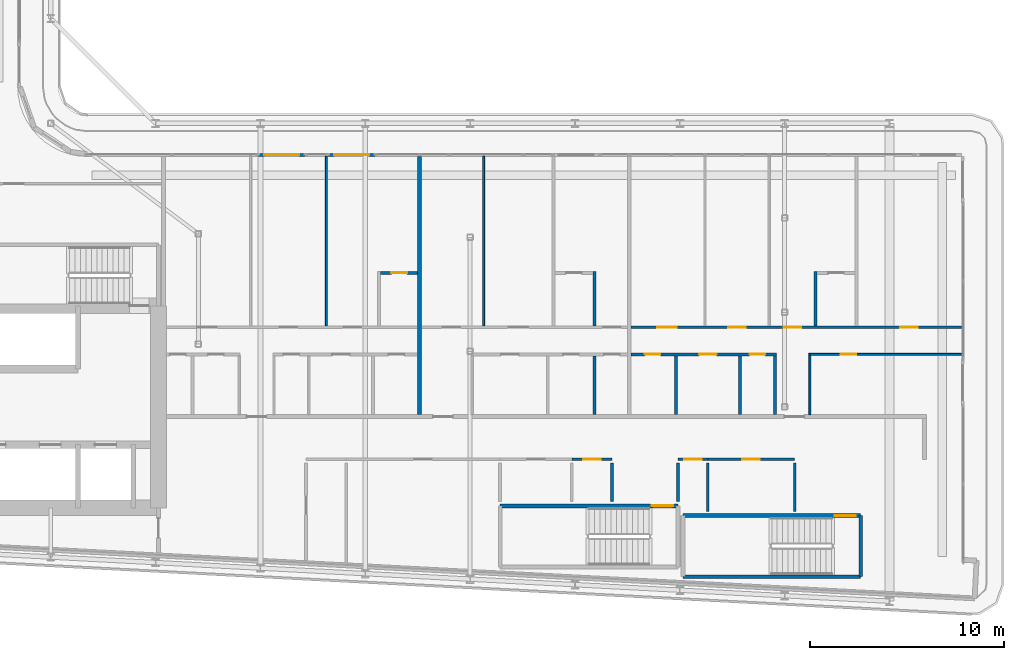
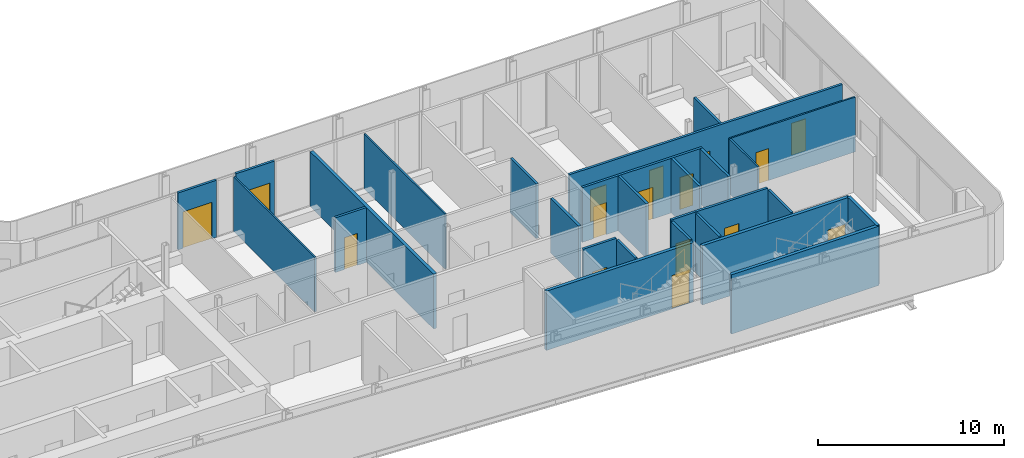
# One storey, part 18 of 30: 27 walls, 16 doors, 16 openings.
"""IFC4 building model written with IfcOpenShell, lengths in metres."""

import ifcopenshell
import ifcopenshell.guid

model = None  # the IFC model being written
_history = None  # IfcOwnerHistory: only IFC2X3 demands one
_inside = {}  # id of a spatial element -> (the spatial element, [elements in it])
_under = {}  # id of a project, library or spatial element -> (it, [spatial elements below it])
_declared = {}  # id of a project -> (the project, [libraries it declares])
_typed = {}  # id of a type object -> (the type object, [elements of that type])
_made_of = {}  # id of a material, layer set ... -> (it, [elements and type objects made of it])


def new_model(schema):
    """Start an empty IFC model of exactly this schema.

    Asked for "IFC4X3", IfcOpenShell would pick the latest addendum, in which some entities
    have other attributes; the version numbers below select the first issue.
    IFC2X3 requires an IfcOwnerHistory on every rooted entity: one is made here for all.
    """
    global model, _history
    if schema == "IFC4X3":
        model = ifcopenshell.file(schema_version=(4, 3, 0, 0))
    else:
        model = ifcopenshell.file(schema=schema)
    _inside.clear()
    _under.clear()
    _declared.clear()
    _typed.clear()
    _made_of.clear()
    _history = None
    if model.schema == "IFC2X3":
        org = make("IfcOrganization", Name="unknown")
        user = make(
            "IfcPersonAndOrganization",
            ThePerson=make("IfcPerson", FamilyName="unknown"),
            TheOrganization=org,
        )
        app = make(
            "IfcApplication",
            ApplicationDeveloper=org,
            Version="unknown",
            ApplicationFullName="unknown",
            ApplicationIdentifier="unknown",
        )
        _history = make(
            "IfcOwnerHistory",
            OwningUser=user,
            OwningApplication=app,
            ChangeAction="ADDED",
            CreationDate=0,
        )
    return model


def make(cls, **values):
    """One entity of the class cls with the attributes given. An attribute that is None is left unset."""
    return model.create_entity(
        cls, **{name: value for name, value in values.items() if value is not None}
    )


def rooted(cls, **values):
    """An entity with a GlobalId (a new one), such as an element, a storey or a relation."""
    return make(cls, GlobalId=ifcopenshell.guid.new(), OwnerHistory=_history, **values)


def si_unit(unit_type, name, prefix=None):
    """IfcSIUnit, for example si_unit("LENGTHUNIT", "METRE", prefix="MILLI")."""
    return make("IfcSIUnit", UnitType=unit_type, Prefix=prefix, Name=name)


def assignment(units):
    """IfcUnitAssignment: the units of a project."""
    return None if units is None else make("IfcUnitAssignment", Units=units)


def point(xyz):
    """IfcCartesianPoint."""
    return None if xyz is None else make("IfcCartesianPoint", Coordinates=xyz)


def direction(xyz):
    """IfcDirection."""
    return None if xyz is None else make("IfcDirection", DirectionRatios=xyz)


def frame(location, z_axis=None, x_axis=None):
    """IfcAxis2Placement3D, a coordinate frame: its origin and axes. An axis left out is left unset."""
    return make(
        "IfcAxis2Placement3D",
        Location=point(location),
        Axis=direction(z_axis),
        RefDirection=direction(x_axis),
    )


def frame_2d(location, x_axis=None):
    """IfcAxis2Placement2D, a coordinate frame in the plane: its origin and x axis."""
    return make(
        "IfcAxis2Placement2D", Location=point(location), RefDirection=direction(x_axis)
    )


def origin():
    """The frame at (0, 0, 0) with its axes left unset."""
    return frame((0.0, 0.0, 0.0))


def place(relative_to, where):
    """IfcLocalPlacement: puts the frame where relative to a parent placement (None: the world)."""
    return make(
        "IfcLocalPlacement", PlacementRelTo=relative_to, RelativePlacement=where
    )


def context(
    kind, dimensions, precision=None, world=None, true_north=None, identifier=None
):
    """IfcGeometricRepresentationContext, for example the 3D "Model" context."""
    return make(
        "IfcGeometricRepresentationContext",
        ContextIdentifier=identifier,
        ContextType=kind,
        CoordinateSpaceDimension=dimensions,
        Precision=precision,
        WorldCoordinateSystem=world,
        TrueNorth=true_north,
    )


def subcontext(parent, identifier, kind, view, scale=None):
    """IfcGeometricRepresentationSubContext, for example "Body" below "Model"."""
    return make(
        "IfcGeometricRepresentationSubContext",
        ContextIdentifier=identifier,
        ContextType=kind,
        ParentContext=parent,
        TargetScale=scale,
        TargetView=view,
    )


def project(units=None, contexts=None):
    """IfcProject with its units and contexts."""
    return rooted(
        "IfcProject",
        Name="project",
        RepresentationContexts=contexts,
        UnitsInContext=assignment(units),
    )


def spatial(cls, under=None, at=None, **own):
    """A site, building, storey or space (cls), placed at a placement, below another one or the project."""
    s = rooted(cls, ObjectPlacement=at, **own)
    if under is not None:
        _under.setdefault(under.id(), (under, []))[1].append(s)
    return s


def profile(cls, at=None, kind="AREA", **sizes):
    """A parametric profile (cls). Its sizes go by their IFC names, for example OverallWidth=200.0."""
    return make(cls, ProfileType=kind, Position=at, **sizes)


def rectangle(**sizes):
    """IfcRectangleProfileDef."""
    return profile("IfcRectangleProfileDef", **sizes)


def extrude(swept, where, along, depth):
    """IfcExtrudedAreaSolid: the profile swept, set in the frame where, extruded along a direction by depth."""
    return make(
        "IfcExtrudedAreaSolid",
        SweptArea=swept,
        Position=where,
        ExtrudedDirection=direction(along),
        Depth=depth,
    )


def shape(context_of_items, identifier, shape_type, items):
    """IfcShapeRepresentation: the items that make up one representation, for example the "Body"."""
    return make(
        "IfcShapeRepresentation",
        ContextOfItems=context_of_items,
        RepresentationIdentifier=identifier,
        RepresentationType=shape_type,
        Items=items,
    )


def source(mapping_origin, context_of_items, identifier, shape_type, items):
    """IfcRepresentationMap: a shape defined once, which mapped items show again and again."""
    return make(
        "IfcRepresentationMap",
        MappingOrigin=mapping_origin,
        MappedRepresentation=shape(context_of_items, identifier, shape_type, items),
    )


def transform(
    local_origin,
    x_axis=None,
    y_axis=None,
    z_axis=None,
    scale=None,
    scale2=None,
    scale3=None,
    uniform=True,
):
    """IfcCartesianTransformationOperator3D, or its non-uniform kind. x_axis, y_axis, z_axis: its Axis1, 2, 3."""
    if uniform:
        return make(
            "IfcCartesianTransformationOperator3D",
            Axis1=direction(x_axis),
            Axis2=direction(y_axis),
            LocalOrigin=point(local_origin),
            Scale=scale,
            Axis3=direction(z_axis),
        )
    return make(
        "IfcCartesianTransformationOperator3DnonUniform",
        Axis1=direction(x_axis),
        Axis2=direction(y_axis),
        LocalOrigin=point(local_origin),
        Scale=scale,
        Axis3=direction(z_axis),
        Scale2=scale2,
        Scale3=scale3,
    )


def mapped(mapping_source, mapping_target):
    """IfcMappedItem: shows the shape of a source again, moved by a transform."""
    return make(
        "IfcMappedItem", MappingSource=mapping_source, MappingTarget=mapping_target
    )


def material(Name=None, Category=None):
    """IfcMaterial."""
    return make("IfcMaterial", Name=Name, Category=Category)


def layer(
    of_material, thickness, ventilated=None, Name=None, Category=None, Priority=None
):
    """IfcMaterialLayer: one layer of a wall or slab, of a material (None: an air gap)."""
    return make(
        "IfcMaterialLayer",
        Material=of_material,
        LayerThickness=thickness,
        IsVentilated=ventilated,
        Name=Name,
        Category=Category,
        Priority=Priority,
    )


def layer_set(layers, Name=None):
    """IfcMaterialLayerSet."""
    return make("IfcMaterialLayerSet", MaterialLayers=layers, LayerSetName=Name)


def made_of(thing, what):
    """Note that an element or type object is made of a material, layer set ...; save() writes the relation."""
    if what is not None:
        _made_of.setdefault(what.id(), (what, []))[1].append(thing)
    return thing


def type_object(cls, material=None, **own):
    """A type object (cls), such as IfcWallType, which elements share."""
    return made_of(rooted(cls, **own), material)


def element(
    cls,
    number,
    at=None,
    inside=None,
    cuts=None,
    type_object=None,
    material=None,
    context=None,
    identifier="Body",
    shape_type=None,
    held_by="IfcProductDefinitionShape",
    body=None,
    shapes=None,
    **own,
):
    """One element of the class cls, such as IfcWall. Its Tag is "e" and its number.

    at: its placement. inside: the storey or other place that contains it. cuts: it is an
    opening in that element (IfcRelVoidsElement). A single representation is given by context,
    identifier, shape_type and body (its items); several are given by shapes. held_by: the class
    of the entity that holds the representations. save() writes the other relations.
    """
    e = rooted(cls, Tag="e%d" % number, ObjectPlacement=at, **own)
    if body is not None:
        shapes = [shape(context, identifier, shape_type, body)]
    if shapes is not None:
        e.Representation = make(held_by, Representations=shapes)
    if inside is not None:
        _inside.setdefault(inside.id(), (inside, []))[1].append(e)
    if cuts is not None:
        rooted(
            "IfcRelVoidsElement", RelatingBuildingElement=cuts, RelatedOpeningElement=e
        )
    if type_object is not None:
        _typed.setdefault(type_object.id(), (type_object, []))[1].append(e)
    return made_of(e, material)


def fill(opening, filler):
    """IfcRelFillsElement: the door or window that sits in an opening."""
    return rooted(
        "IfcRelFillsElement",
        RelatingOpeningElement=opening,
        RelatedBuildingElement=filler,
    )


def aggregate(whole, parts):
    """IfcRelAggregates: a whole, such as a stair, and the parts it consists of."""
    return rooted("IfcRelAggregates", RelatingObject=whole, RelatedObjects=parts)


def save(model, path):
    """Write the relations noted so far, then the file.

    IfcRelAggregates (storeys below a building ...), IfcRelContainedInSpatialStructure (elements
    in a storey), IfcRelDefinesByType, IfcRelAssociatesMaterial and IfcRelDeclares: one each for
    every whole, place, type object, material and project.
    """
    for whole, parts in _under.values():
        aggregate(whole, parts)
    for where, things in _inside.values():
        rooted(
            "IfcRelContainedInSpatialStructure",
            RelatedElements=things,
            RelatingStructure=where,
        )
    for kind, things in _typed.values():
        rooted("IfcRelDefinesByType", RelatedObjects=things, RelatingType=kind)
    for what, things in _made_of.values():
        rooted("IfcRelAssociatesMaterial", RelatedObjects=things, RelatingMaterial=what)
    for by, libraries in _declared.values():
        rooted("IfcRelDeclares", RelatingContext=by, RelatedDefinitions=libraries)
    model.write(path)


model = new_model("IFC4")

# Units and contexts
model_context = context("Model", 3, precision=1e-05, world=origin(), true_north=direction((0.0, 1.0)))
body_context = subcontext(model_context, "Body", "Model", "MODEL_VIEW")
ifc_project = project(units=[si_unit("LENGTHUNIT", "METRE"), si_unit("AREAUNIT", "SQUARE_METRE"), si_unit("VOLUMEUNIT", "CUBIC_METRE"), si_unit("PLANEANGLEUNIT", "RADIAN"), si_unit("MASSUNIT", "GRAM", prefix="KILO")], contexts=[model_context])

# Site, building, storey
site_placement = place(None, origin())
site = spatial("IfcSite", under=ifc_project, at=site_placement, CompositionType="ELEMENT")
building_placement = place(site_placement, origin())
building = spatial("IfcBuilding", under=site, at=building_placement, Name="Kheshtan School and Residences Tower", CompositionType="ELEMENT")
storey_placement = place(building_placement, frame((0.0, 0.0, 164.300048828125)))
storey = spatial("IfcBuildingStorey", under=building, at=storey_placement, Name="L38", CompositionType="ELEMENT", Elevation=164.300048828125)

# Wall, opening, door
ifc_material_1 = material(Name="Aluminium frame wall with insulated infill", Category="aluminium")
ifc_layer_1 = layer(ifc_material_1, 0.14990234375)
ifc_layer_set_1 = layer_set([ifc_layer_1], Name="Glazing frame wall 150")
wall_type_1 = type_object("IfcWallType", Name="Glazing frame wall 150", PredefinedType="SOLIDWALL", material=ifc_layer_set_1)
wall_1_placement = place(storey_placement, frame((58.297119140625, 43.97509765625, 0.0), z_axis=(0.0, 0.0, 1.0), x_axis=(1.0, 0.0, 0.0)))
wall_1 = element("IfcWall", 1, at=wall_1_placement, inside=storey, type_object=wall_type_1, Name="Balcony door wall L38 12.1", PredefinedType="SOLIDWALL", context=body_context, shape_type="SweptSolid", body=[
    extrude(rectangle(XDim=2.39990234375, YDim=0.14990234375, at=frame_2d((1.199951171875, 0.0))), origin(), (0.0, 0.0, 1.0), 3.75),
])
opening_1_placement = place(wall_1_placement, frame((0.300048828125, 0.0, 0.0)))
opening_1 = element("IfcOpeningElement", 2, at=opening_1_placement, cuts=wall_1, Name="Opening BD", PredefinedType="OPENING", context=body_context, shape_type="SweptSolid", body=[
    extrude(rectangle(XDim=1.800048828125, YDim=2.39990234375, at=frame_2d((0.89990234375, 1.199951171875))), frame((0.0, 0.0849609375, 0.0), z_axis=(0.0, -1.0, 0.0), x_axis=(1.0, 0.0, 0.0)), (0.0, 0.0, 1.0), 0.169921875),
])
ifc_material_2 = material(Name="Clear low-e glass in thermally broken aluminium frame", Category="aluminium")
door_type_1 = type_object("IfcDoorType", Name="Balcony sliding door", OperationType="SLIDING_TO_LEFT", PredefinedType="DOOR", material=ifc_material_2)
shared_shape_1 = source(origin(), body_context, "Body", "SweptSolid", [
    extrude(rectangle(XDim=1.800048828125, YDim=2.39990234375, at=frame_2d((0.89990234375, 1.199951171875))), frame((0.0, 0.02490234375, 0.0), z_axis=(0.0, -1.0, 0.0), x_axis=(1.0, 0.0, 0.0)), (0.0, 0.0, 1.0), 0.050048828125),
])
door_1_placement = place(opening_1_placement, origin())
door_1 = element("IfcDoor", 3, at=door_1_placement, inside=storey, type_object=door_type_1, Name="Balcony door L38 12.1", OperationType="SLIDING_TO_LEFT", OverallHeight=2.39990234375, OverallWidth=1.800048828125, PredefinedType="DOOR", context=body_context, shape_type="MappedRepresentation", body=[
    mapped(shared_shape_1, transform((0.0, 0.0, 0.0), x_axis=(1.0, 0.0, 0.0), y_axis=(0.0, 1.0, 0.0), z_axis=(0.0, 0.0, 1.0), scale=1.0)),
])
fill(opening_1, door_1)

wall_2_placement = place(storey_placement, frame((61.89794921875, 43.97509765625, 0.0), z_axis=(0.0, 0.0, 1.0), x_axis=(1.0, 0.0, 0.0)))
wall_2 = element("IfcWall", 4, at=wall_2_placement, inside=storey, type_object=wall_type_1, Name="Balcony door wall L38 12.2", PredefinedType="SOLIDWALL", context=body_context, shape_type="SweptSolid", body=[
    extrude(rectangle(XDim=2.399169921875, YDim=0.14990234375, at=frame_2d((1.19970703125, 0.0))), origin(), (0.0, 0.0, 1.0), 3.75),
])
opening_2_placement = place(wall_2_placement, frame((0.300048828125, 0.0, 0.0)))
opening_2 = element("IfcOpeningElement", 5, at=opening_2_placement, cuts=wall_2, Name="Opening BD", PredefinedType="OPENING", context=body_context, shape_type="SweptSolid", body=[
    extrude(rectangle(XDim=1.800048828125, YDim=2.39990234375, at=frame_2d((0.89990234375, 1.199951171875))), frame((0.0, 0.0849609375, 0.0), z_axis=(0.0, -1.0, 0.0), x_axis=(1.0, 0.0, 0.0)), (0.0, 0.0, 1.0), 0.169921875),
])
door_2_placement = place(opening_2_placement, origin())
door_2 = element("IfcDoor", 6, at=door_2_placement, inside=storey, type_object=door_type_1, Name="Balcony door L38 12.2", OperationType="SLIDING_TO_LEFT", OverallHeight=2.39990234375, OverallWidth=1.800048828125, PredefinedType="DOOR", context=body_context, shape_type="MappedRepresentation", body=[
    mapped(shared_shape_1, transform((0.0, 0.0, 0.0), x_axis=(1.0, 0.0, 0.0), y_axis=(0.0, 1.0, 0.0), z_axis=(0.0, 0.0, 1.0), scale=1.0)),
])
fill(opening_2, door_2)

# Walls
ifc_material_3 = material(Name="Gypsum board on steel studs", Category="steel")
ifc_layer_2 = layer(ifc_material_3, 0.10009765625)
ifc_layer_set_2 = layer_set([ifc_layer_2], Name="Gypsum partition 100")
wall_type_2 = type_object("IfcWallType", Name="Gypsum partition 100", PredefinedType="PARTITIONING", material=ifc_layer_set_2)
for number, where, z_axis, x_axis, name in (
    (7, (61.800048828125, 35.175048828125, 0.0), (0.0, 0.0, 1.0), (0.0, 1.0, 0.0), "Partition L38-048"),
    (8, (69.89990234375, 35.175048828125, 0.0), (0.0, 0.0, 1.0), (0.0, 1.0, 0.0), "Partition L38-056"),
):
    element("IfcWall", number, at=place(storey_placement, frame(where, z_axis=z_axis, x_axis=x_axis)), inside=storey, type_object=wall_type_2, Name=name, PredefinedType="PARTITIONING", context=body_context, shape_type="SweptSolid", body=[
        extrude(rectangle(XDim=8.724853515625, YDim=0.10009765625, at=frame_2d((4.3623046875, 0.0))), origin(), (0.0, 0.0, 1.0), 3.599853515625),
    ])

# Wall, opening, door
wall_3_placement = place(storey_placement, frame((86.64990234375, 33.699951171875, 0.0), z_axis=(0.0, 0.0, 1.0), x_axis=(1.0, 0.0, 0.0)))
wall_3 = element("IfcWall", 9, at=wall_3_placement, inside=storey, type_object=wall_type_2, Name="Partition L38-070", PredefinedType="PARTITIONING", context=body_context, shape_type="SweptSolid", body=[
    extrude(rectangle(XDim=7.85009765625, YDim=0.10009765625, at=frame_2d((3.925048828125, 0.0))), origin(), (0.0, 0.0, 1.0), 3.599853515625),
])
opening_3_placement = place(wall_3_placement, frame((1.64990234375, 0.0, 0.0)))
opening_3 = element("IfcOpeningElement", 10, at=opening_3_placement, cuts=wall_3, Name="Opening D37-021", PredefinedType="OPENING", context=body_context, shape_type="SweptSolid", body=[
    extrude(rectangle(XDim=0.800048828125, YDim=2.10009765625, at=frame_2d((0.39990234375, 1.050048828125))), frame((0.0, 0.06005859375, 0.0), z_axis=(0.0, -1.0, 0.0), x_axis=(1.0, 0.0, 0.0)), (0.0, 0.0, 1.0), 0.1201171875),
])
ifc_material_4 = material(Name="Veneered timber door leaf", Category="wood")
door_type_2 = type_object("IfcDoorType", Name="Door 800 x 2100", OperationType="SINGLE_SWING_LEFT", PredefinedType="DOOR", material=ifc_material_4)
shared_shape_2 = source(origin(), body_context, "Body", "SweptSolid", [
    extrude(rectangle(XDim=0.800048828125, YDim=2.10009765625, at=frame_2d((0.39990234375, 1.050048828125))), frame((0.0, 0.02490234375, 0.0), z_axis=(0.0, -1.0, 0.0), x_axis=(1.0, 0.0, 0.0)), (0.0, 0.0, 1.0), 0.050048828125),
])
door_3_placement = place(opening_3_placement, origin())
door_3 = element("IfcDoor", 11, at=door_3_placement, inside=storey, type_object=door_type_2, Name="Door D37-021", OperationType="SINGLE_SWING_LEFT", OverallHeight=2.10009765625, OverallWidth=0.800048828125, PredefinedType="DOOR", context=body_context, shape_type="MappedRepresentation", body=[
    mapped(shared_shape_2, transform((0.0, 0.0, 0.0), x_axis=(1.0, 0.0, 0.0), y_axis=(0.0, 1.0, 0.0), z_axis=(0.0, 0.0, 1.0), scale=1.0)),
])
fill(opening_3, door_3)

# Wall
wall_4_placement = place(storey_placement, frame((86.699951171875, 30.60009765625, 0.0), z_axis=(0.0, 0.0, 1.0), x_axis=(0.0, 1.0, 0.0)))
element("IfcWall", 12, at=wall_4_placement, inside=storey, type_object=wall_type_2, Name="Partition L38-071", PredefinedType="PARTITIONING", context=body_context, shape_type="SweptSolid", body=[
    extrude(rectangle(XDim=3.0498046875, YDim=0.10009765625, at=frame_2d((1.52490234375, 0.0))), origin(), (0.0, 0.0, 1.0), 3.599853515625),
])

# Wall, opening, door
ifc_material_5 = material(Name="Fire-board shaft wall system")
ifc_layer_3 = layer(ifc_material_5, 0.14990234375)
ifc_layer_set_3 = layer_set([ifc_layer_3], Name="Service room wall 150")
wall_type_3 = type_object("IfcWallType", Name="Service room wall 150", PredefinedType="PARTITIONING", material=ifc_layer_set_3)
wall_5_placement = place(storey_placement, frame((74.43603515625, 28.300048828125, 0.0), z_axis=(0.0, 0.0, 1.0), x_axis=(1.0, 0.0, 0.0)))
wall_5 = element("IfcWall", 13, at=wall_5_placement, inside=storey, type_object=wall_type_3, Name="Service room wall", PredefinedType="PARTITIONING", context=body_context, shape_type="SweptSolid", body=[
    extrude(rectangle(XDim=2.073974609375, YDim=0.14990234375, at=frame_2d((1.037109375, 0.0))), origin(), (0.0, 0.0, 1.0), 3.89990234375),
])
opening_4_placement = place(wall_5_placement, frame((0.5869140625, 0.0, 0.0)))
opening_4 = element("IfcOpeningElement", 14, at=opening_4_placement, cuts=wall_5, Name="Opening SR90", PredefinedType="OPENING", context=body_context, shape_type="SweptSolid", body=[
    extrude(rectangle(XDim=0.89990234375, YDim=2.199951171875, at=frame_2d((0.449951171875, 1.10009765625))), frame((0.0, 0.0849609375, 0.0), z_axis=(0.0, -1.0, 0.0), x_axis=(1.0, 0.0, 0.0)), (0.0, 0.0, 1.0), 0.169921875),
])
ifc_material_6 = material(Name="Steel door leaf, galvanised", Category="steel")
door_type_3 = type_object("IfcDoorType", Name="Service room door 900 steel 90 min", OperationType="SINGLE_SWING_LEFT", PredefinedType="DOOR", material=ifc_material_6)
shared_shape_3 = source(origin(), body_context, "Body", "SweptSolid", [
    extrude(rectangle(XDim=0.89990234375, YDim=2.199951171875, at=frame_2d((0.449951171875, 1.10009765625))), frame((0.0, 0.02490234375, 0.0), z_axis=(0.0, -1.0, 0.0), x_axis=(1.0, 0.0, 0.0)), (0.0, 0.0, 1.0), 0.050048828125),
])
door_4_placement = place(opening_4_placement, origin())
door_4 = element("IfcDoor", 15, at=door_4_placement, inside=storey, type_object=door_type_3, Name="Service room door", OperationType="SINGLE_SWING_LEFT", OverallHeight=2.199951171875, OverallWidth=0.89990234375, PredefinedType="DOOR", context=body_context, shape_type="MappedRepresentation", body=[
    mapped(shared_shape_3, transform((0.0, 0.0, 0.0), x_axis=(1.0, 0.0, 0.0), y_axis=(0.0, 1.0, 0.0), z_axis=(0.0, 0.0, 1.0), scale=1.0)),
])
fill(opening_4, door_4)

# Wall
wall_6_placement = place(storey_placement, frame((76.510009765625, 26.1201171875, 0.0), z_axis=(0.0, 0.0, 1.0), x_axis=(0.0, 1.0, 0.0)))
element("IfcWall", 16, at=wall_6_placement, inside=storey, type_object=wall_type_3, Name="Service room wall", PredefinedType="PARTITIONING", context=body_context, shape_type="SweptSolid", body=[
    extrude(rectangle(XDim=1.98486328125, YDim=0.14990234375, at=frame_2d((0.992431640625, 0.0))), origin(), (0.0, 0.0, 1.0), 3.89990234375),
])

# Wall, opening, door
wall_7_placement = place(storey_placement, frame((79.909912109375, 28.300048828125, 0.0), z_axis=(0.0, 0.0, 1.0), x_axis=(1.0, 0.0, 0.0)))
wall_7 = element("IfcWall", 17, at=wall_7_placement, inside=storey, type_object=wall_type_3, Name="Service room wall", PredefinedType="PARTITIONING", context=body_context, shape_type="SweptSolid", body=[
    extrude(rectangle(XDim=1.531005859375, YDim=0.14990234375, at=frame_2d((0.765625, 0.0))), origin(), (0.0, 0.0, 1.0), 3.89990234375),
])
opening_5_placement = place(wall_7_placement, frame((0.31591796875, 0.0, 0.0)))
opening_5 = element("IfcOpeningElement", 18, at=opening_5_placement, cuts=wall_7, Name="Opening SR90", PredefinedType="OPENING", context=body_context, shape_type="SweptSolid", body=[
    extrude(rectangle(XDim=0.89990234375, YDim=2.199951171875, at=frame_2d((0.449951171875, 1.10009765625))), frame((0.0, 0.0849609375, 0.0), z_axis=(0.0, -1.0, 0.0), x_axis=(1.0, 0.0, 0.0)), (0.0, 0.0, 1.0), 0.169921875),
])
door_5_placement = place(opening_5_placement, origin())
door_5 = element("IfcDoor", 19, at=door_5_placement, inside=storey, type_object=door_type_3, Name="Service room door", OperationType="SINGLE_SWING_RIGHT", OverallHeight=2.199951171875, OverallWidth=0.89990234375, PredefinedType="DOOR", context=body_context, shape_type="MappedRepresentation", body=[
    mapped(shared_shape_3, transform((0.0, 0.0, 0.0), x_axis=(1.0, 0.0, 0.0), y_axis=(0.0, 1.0, 0.0), z_axis=(0.0, 0.0, 1.0), scale=1.0)),
])
fill(opening_5, door_5)

# Walls
wall_8_placement = place(storey_placement, frame((79.909912109375, 26.1201171875, 0.0), z_axis=(0.0, 0.0, 1.0), x_axis=(0.0, 1.0, 0.0)))
element("IfcWall", 20, at=wall_8_placement, inside=storey, type_object=wall_type_3, Name="Service room wall", PredefinedType="PARTITIONING", context=body_context, shape_type="SweptSolid", body=[
    extrude(rectangle(XDim=1.98486328125, YDim=0.14990234375, at=frame_2d((0.992431640625, 0.0))), origin(), (0.0, 0.0, 1.0), 3.89990234375),
])
wall_9_placement = place(storey_placement, frame((81.44091796875, 25.6201171875, 0.0), z_axis=(0.0, 0.0, 1.0), x_axis=(0.0, 1.0, 0.0)))
element("IfcWall", 21, at=wall_9_placement, inside=storey, type_object=wall_type_3, Name="Service room wall", PredefinedType="PARTITIONING", context=body_context, shape_type="SweptSolid", body=[
    extrude(rectangle(XDim=2.48486328125, YDim=0.14990234375, at=frame_2d((1.242431640625, 0.0))), origin(), (0.0, 0.0, 1.0), 3.89990234375),
])

# Wall, opening, door
wall_10_placement = place(storey_placement, frame((81.44091796875, 28.300048828125, 0.0), z_axis=(0.0, 0.0, 1.0), x_axis=(1.0, 0.0, 0.0)))
wall_10 = element("IfcWall", 22, at=wall_10_placement, inside=storey, type_object=wall_type_3, Name="Service room wall", PredefinedType="PARTITIONING", context=body_context, shape_type="SweptSolid", body=[
    extrude(rectangle(XDim=4.47900390625, YDim=0.14990234375, at=frame_2d((2.239501953125, 0.0))), origin(), (0.0, 0.0, 1.0), 3.89990234375),
])
opening_6_placement = place(wall_10_placement, frame((1.7890625, 0.0, 0.0)))
opening_6 = element("IfcOpeningElement", 23, at=opening_6_placement, cuts=wall_10, Name="Opening SR90", PredefinedType="OPENING", context=body_context, shape_type="SweptSolid", body=[
    extrude(rectangle(XDim=0.89990234375, YDim=2.199951171875, at=frame_2d((0.449951171875, 1.10009765625))), frame((0.0, 0.0849609375, 0.0), z_axis=(0.0, -1.0, 0.0), x_axis=(1.0, 0.0, 0.0)), (0.0, 0.0, 1.0), 0.169921875),
])
door_6_placement = place(opening_6_placement, origin())
door_6 = element("IfcDoor", 24, at=door_6_placement, inside=storey, type_object=door_type_3, Name="Service room door", OperationType="SINGLE_SWING_LEFT", OverallHeight=2.199951171875, OverallWidth=0.89990234375, PredefinedType="DOOR", context=body_context, shape_type="MappedRepresentation", body=[
    mapped(shared_shape_3, transform((0.0, 0.0, 0.0), x_axis=(1.0, 0.0, 0.0), y_axis=(0.0, 1.0, 0.0), z_axis=(0.0, 0.0, 1.0), scale=1.0)),
])
fill(opening_6, door_6)

# Walls
wall_11_placement = place(storey_placement, frame((85.919921875, 25.6201171875, 0.0), z_axis=(0.0, 0.0, 1.0), x_axis=(0.0, 1.0, 0.0)))
element("IfcWall", 25, at=wall_11_placement, inside=storey, type_object=wall_type_3, Name="Service room wall", PredefinedType="PARTITIONING", context=body_context, shape_type="SweptSolid", body=[
    extrude(rectangle(XDim=2.48486328125, YDim=0.14990234375, at=frame_2d((1.242431640625, 0.0))), origin(), (0.0, 0.0, 1.0), 3.89990234375),
])
ifc_material_7 = material(Name="Concrete C40/50", Category="concrete")
ifc_layer_4 = layer(ifc_material_7, 0.199951171875)
ifc_layer_set_4 = layer_set([ifc_layer_4], Name="Stair enclosure wall 200 Concrete C40/50")
wall_type_4 = type_object("IfcWallType", Name="Stair enclosure wall 200 Concrete C40/50", PredefinedType="SHEAR", material=ifc_layer_set_4)
wall_12_placement = place(storey_placement, frame((80.159912109375, 22.25, 0.0), z_axis=(0.0, 0.0, 1.0), x_axis=(1.0, 0.0, 0.0)))
element("IfcWall", 26, at=wall_12_placement, inside=storey, type_object=wall_type_4, Name="Stair enclosure wall ST4", PredefinedType="SHEAR", context=body_context, shape_type="SweptSolid", body=[
    extrude(rectangle(XDim=9.16015625, YDim=0.199951171875, at=frame_2d((4.580078125, 0.0))), origin(), (0.0, 0.0, 1.0), 3.89990234375),
])

# Wall, opening, door
wall_13_placement = place(storey_placement, frame((80.159912109375, 25.39990234375, 0.0), z_axis=(0.0, 0.0, 1.0), x_axis=(1.0, 0.0, 0.0)))
wall_13 = element("IfcWall", 27, at=wall_13_placement, inside=storey, type_object=wall_type_4, Name="Stair enclosure wall ST4", PredefinedType="SHEAR", context=body_context, shape_type="SweptSolid", body=[
    extrude(rectangle(XDim=9.16015625, YDim=0.199951171875, at=frame_2d((4.580078125, 0.0))), origin(), (0.0, 0.0, 1.0), 3.89990234375),
])
opening_7_placement = place(wall_13_placement, frame((7.81005859375, 0.0, 0.0)))
opening_7 = element("IfcOpeningElement", 28, at=opening_7_placement, cuts=wall_13, Name="Opening ST4D", PredefinedType="OPENING", context=body_context, shape_type="SweptSolid", body=[
    extrude(rectangle(XDim=1.10009765625, YDim=2.199951171875, at=frame_2d((0.550048828125, 1.10009765625))), frame((0.0, 0.10986328125, 0.0), z_axis=(0.0, -1.0, 0.0), x_axis=(1.0, 0.0, 0.0)), (0.0, 0.0, 1.0), 0.219970703125),
])
door_type_4 = type_object("IfcDoorType", Name="Stair door 1100 steel 90 min", OperationType="SINGLE_SWING_LEFT", PredefinedType="DOOR", material=ifc_material_6)
shared_shape_4 = source(origin(), body_context, "Body", "SweptSolid", [
    extrude(rectangle(XDim=1.10009765625, YDim=2.199951171875, at=frame_2d((0.550048828125, 1.10009765625))), frame((0.0, 0.02490234375, 0.0), z_axis=(0.0, -1.0, 0.0), x_axis=(1.0, 0.0, 0.0)), (0.0, 0.0, 1.0), 0.050048828125),
])
door_7_placement = place(opening_7_placement, origin())
door_7 = element("IfcDoor", 29, at=door_7_placement, inside=storey, type_object=door_type_4, Name="Stair ST4 door", OperationType="SINGLE_SWING_LEFT", OverallHeight=2.199951171875, OverallWidth=1.10009765625, PredefinedType="DOOR", context=body_context, shape_type="MappedRepresentation", body=[
    mapped(shared_shape_4, transform((0.0, 0.0, 0.0), x_axis=(1.0, 0.0, 0.0), y_axis=(0.0, 1.0, 0.0), z_axis=(0.0, 0.0, 1.0), scale=1.0)),
])
fill(opening_7, door_7)

# Wall
wall_14_placement = place(storey_placement, frame((89.320068359375, 22.25, 0.0), z_axis=(0.0, 0.0, 1.0), x_axis=(0.0, 1.0, 0.0)))
element("IfcWall", 30, at=wall_14_placement, inside=storey, type_object=wall_type_4, Name="Stair enclosure wall ST4", PredefinedType="SHEAR", context=body_context, shape_type="SweptSolid", body=[
    extrude(rectangle(XDim=3.14990234375, YDim=0.199951171875, at=frame_2d((1.574951171875, 0.0))), origin(), (0.0, 0.0, 1.0), 3.89990234375),
])

# Wall, opening, door
wall_15_placement = place(storey_placement, frame((70.75, 25.89990234375, 0.0), z_axis=(0.0, 0.0, 1.0), x_axis=(1.0, 0.0, 0.0)))
wall_15 = element("IfcWall", 31, at=wall_15_placement, inside=storey, type_object=wall_type_4, Name="Stair enclosure wall ST5", PredefinedType="SHEAR", context=body_context, shape_type="SweptSolid", body=[
    extrude(rectangle(XDim=9.159912109375, YDim=0.199951171875, at=frame_2d((4.580078125, 0.0))), origin(), (0.0, 0.0, 1.0), 3.89990234375),
])
opening_8_placement = place(wall_15_placement, frame((7.81005859375, 0.0, 0.0)))
opening_8 = element("IfcOpeningElement", 32, at=opening_8_placement, cuts=wall_15, Name="Opening ST5D", PredefinedType="OPENING", context=body_context, shape_type="SweptSolid", body=[
    extrude(rectangle(XDim=1.10009765625, YDim=2.199951171875, at=frame_2d((0.550048828125, 1.10009765625))), frame((0.0, 0.10986328125, 0.0), z_axis=(0.0, -1.0, 0.0), x_axis=(1.0, 0.0, 0.0)), (0.0, 0.0, 1.0), 0.219970703125),
])
door_8_placement = place(opening_8_placement, origin())
door_8 = element("IfcDoor", 33, at=door_8_placement, inside=storey, type_object=door_type_4, Name="Stair ST5 door", OperationType="SINGLE_SWING_LEFT", OverallHeight=2.199951171875, OverallWidth=1.10009765625, PredefinedType="DOOR", context=body_context, shape_type="MappedRepresentation", body=[
    mapped(shared_shape_4, transform((0.0, 0.0, 0.0), x_axis=(1.0, 0.0, 0.0), y_axis=(0.0, 1.0, 0.0), z_axis=(0.0, 0.0, 1.0), scale=1.0)),
])
fill(opening_8, door_8)

# Wall
ifc_material_8 = material(Name="Twin gypsum board on steel studs with mineral wool", Category="steel")
ifc_layer_5 = layer(ifc_material_8, 0.199951171875)
ifc_layer_set_5 = layer_set([ifc_layer_5], Name="Unit demising wall 200")
wall_type_5 = type_object("IfcWallType", Name="Unit demising wall 200", PredefinedType="PARTITIONING", material=ifc_layer_set_5)
wall_16_placement = place(storey_placement, frame((66.60009765625, 30.60009765625, 0.0), z_axis=(0.0, 0.0, 1.0), x_axis=(0.0, 1.0, 0.0)))
element("IfcWall", 34, at=wall_16_placement, inside=storey, type_object=wall_type_5, Name="Partition L38-052", PredefinedType="PARTITIONING", context=body_context, shape_type="SweptSolid", body=[
    extrude(rectangle(XDim=13.2998046875, YDim=0.199951171875, at=frame_2d((6.64990234375, 0.0))), origin(), (0.0, 0.0, 1.0), 3.599853515625),
])

# Wall, opening, door
ifc_material_9 = material(Name="Moisture-resistant gypsum board on steel studs", Category="steel")
ifc_layer_6 = layer(ifc_material_9, 0.14990234375)
ifc_layer_set_6 = layer_set([ifc_layer_6], Name="Wet-room partition 150")
wall_type_6 = type_object("IfcWallType", Name="Wet-room partition 150", PredefinedType="PARTITIONING", material=ifc_layer_set_6)
wall_17_placement = place(storey_placement, frame((64.574951171875, 37.89990234375, 0.0), z_axis=(0.0, 0.0, 1.0), x_axis=(1.0, 0.0, 0.0)))
wall_17 = element("IfcWall", 35, at=wall_17_placement, inside=storey, type_object=wall_type_6, Name="Partition L38-051", PredefinedType="PARTITIONING", context=body_context, shape_type="SweptSolid", body=[
    extrude(rectangle(XDim=1.925048828125, YDim=0.14990234375, at=frame_2d((0.96240234375, 0.0))), origin(), (0.0, 0.0, 1.0), 3.599853515625),
])
opening_9_placement = place(wall_17_placement, frame((0.574951171875, 0.0, 0.0)))
opening_9 = element("IfcOpeningElement", 36, at=opening_9_placement, cuts=wall_17, Name="Opening D37-004", PredefinedType="OPENING", context=body_context, shape_type="SweptSolid", body=[
    extrude(rectangle(XDim=0.800048828125, YDim=2.10009765625, at=frame_2d((0.39990234375, 1.050048828125))), frame((0.0, 0.0849609375, 0.0), z_axis=(0.0, -1.0, 0.0), x_axis=(1.0, 0.0, 0.0)), (0.0, 0.0, 1.0), 0.169921875),
])
door_9_placement = place(opening_9_placement, origin())
door_9 = element("IfcDoor", 37, at=door_9_placement, inside=storey, type_object=door_type_2, Name="Door D37-004", OperationType="SINGLE_SWING_LEFT", OverallHeight=2.10009765625, OverallWidth=0.800048828125, PredefinedType="DOOR", context=body_context, shape_type="MappedRepresentation", body=[
    mapped(shared_shape_2, transform((0.0, 0.0, 0.0), x_axis=(1.0, 0.0, 0.0), y_axis=(0.0, 1.0, 0.0), z_axis=(0.0, 0.0, 1.0), scale=1.0)),
])
fill(opening_9, door_9)

# Walls
wall_18_placement = place(storey_placement, frame((75.60009765625, 30.60009765625, 0.0), z_axis=(0.0, 0.0, 1.0), x_axis=(0.0, 1.0, 0.0)))
element("IfcWall", 38, at=wall_18_placement, inside=storey, type_object=wall_type_6, Name="Partition L38-060", PredefinedType="PARTITIONING", context=body_context, shape_type="SweptSolid", body=[
    extrude(rectangle(XDim=3.02490234375, YDim=0.14990234375, at=frame_2d((1.512451171875, 0.0))), origin(), (0.0, 0.0, 1.0), 3.599853515625),
])
wall_19_placement = place(storey_placement, frame((75.60009765625, 35.175048828125, 0.0), z_axis=(0.0, 0.0, 1.0), x_axis=(0.0, 1.0, 0.0)))
element("IfcWall", 39, at=wall_19_placement, inside=storey, type_object=wall_type_6, Name="Partition L38-061", PredefinedType="PARTITIONING", context=body_context, shape_type="SweptSolid", body=[
    extrude(rectangle(XDim=2.800048828125, YDim=0.14990234375, at=frame_2d((1.39990234375, 0.0))), origin(), (0.0, 0.0, 1.0), 3.599853515625),
])

# Wall, openings, doors
wall_20_placement = place(storey_placement, frame((77.5, 33.699951171875, 0.0), z_axis=(0.0, 0.0, 1.0), x_axis=(1.0, 0.0, 0.0)))
wall_20 = element("IfcWall", 40, at=wall_20_placement, inside=storey, type_object=wall_type_6, Name="Partition L38-063", PredefinedType="PARTITIONING", context=body_context, shape_type="SweptSolid", body=[
    extrude(rectangle(XDim=7.47509765625, YDim=0.14990234375, at=frame_2d((3.737548828125, 0.0))), origin(), (0.0, 0.0, 1.0), 3.599853515625),
])
opening_10_placement = place(wall_20_placement, frame((0.699951171875, 0.0, 0.0)))
opening_10 = element("IfcOpeningElement", 41, at=opening_10_placement, cuts=wall_20, Name="Opening D37-019", PredefinedType="OPENING", context=body_context, shape_type="SweptSolid", body=[
    extrude(rectangle(XDim=0.800048828125, YDim=2.10009765625, at=frame_2d((0.39990234375, 1.050048828125))), frame((0.0, 0.0849609375, 0.0), z_axis=(0.0, -1.0, 0.0), x_axis=(1.0, 0.0, 0.0)), (0.0, 0.0, 1.0), 0.169921875),
])
opening_11_placement = place(wall_20_placement, frame((3.5, 0.0, 0.0)))
opening_11 = element("IfcOpeningElement", 42, at=opening_11_placement, cuts=wall_20, Name="Opening D37-024", PredefinedType="OPENING", context=body_context, shape_type="SweptSolid", body=[
    extrude(rectangle(XDim=0.89990234375, YDim=2.10009765625, at=frame_2d((0.449951171875, 1.050048828125))), frame((0.0, 0.0849609375, 0.0), z_axis=(0.0, -1.0, 0.0), x_axis=(1.0, 0.0, 0.0)), (0.0, 0.0, 1.0), 0.169921875),
])
opening_12_placement = place(wall_20_placement, frame((6.10009765625, 0.0, 0.0)))
opening_12 = element("IfcOpeningElement", 43, at=opening_12_placement, cuts=wall_20, Name="Opening D37-028", PredefinedType="OPENING", context=body_context, shape_type="SweptSolid", body=[
    extrude(rectangle(XDim=0.800048828125, YDim=2.10009765625, at=frame_2d((0.39990234375, 1.050048828125))), frame((0.0, 0.0849609375, 0.0), z_axis=(0.0, -1.0, 0.0), x_axis=(1.0, 0.0, 0.0)), (0.0, 0.0, 1.0), 0.169921875),
])
door_10_placement = place(opening_10_placement, origin())
door_10 = element("IfcDoor", 44, at=door_10_placement, inside=storey, type_object=door_type_2, Name="Door D37-019", OperationType="SINGLE_SWING_RIGHT", OverallHeight=2.10009765625, OverallWidth=0.800048828125, PredefinedType="DOOR", context=body_context, shape_type="MappedRepresentation", body=[
    mapped(shared_shape_2, transform((0.0, 0.0, 0.0), x_axis=(1.0, 0.0, 0.0), y_axis=(0.0, 1.0, 0.0), z_axis=(0.0, 0.0, 1.0), scale=1.0)),
])
fill(opening_10, door_10)
door_11_placement = place(opening_12_placement, origin())
door_11 = element("IfcDoor", 45, at=door_11_placement, inside=storey, type_object=door_type_2, Name="Door D37-028", OperationType="SINGLE_SWING_RIGHT", OverallHeight=2.10009765625, OverallWidth=0.800048828125, PredefinedType="DOOR", context=body_context, shape_type="MappedRepresentation", body=[
    mapped(shared_shape_2, transform((0.0, 0.0, 0.0), x_axis=(1.0, 0.0, 0.0), y_axis=(0.0, 1.0, 0.0), z_axis=(0.0, 0.0, 1.0), scale=1.0)),
])
fill(opening_12, door_11)
door_type_5 = type_object("IfcDoorType", Name="Door 900 x 2100", OperationType="SINGLE_SWING_LEFT", PredefinedType="DOOR", material=ifc_material_4)
shared_shape_5 = source(origin(), body_context, "Body", "SweptSolid", [
    extrude(rectangle(XDim=0.89990234375, YDim=2.10009765625, at=frame_2d((0.449951171875, 1.050048828125))), frame((0.0, 0.02490234375, 0.0), z_axis=(0.0, -1.0, 0.0), x_axis=(1.0, 0.0, 0.0)), (0.0, 0.0, 1.0), 0.050048828125),
])
door_12_placement = place(opening_11_placement, origin())
door_12 = element("IfcDoor", 46, at=door_12_placement, inside=storey, type_object=door_type_5, Name="Door D37-024", OperationType="SINGLE_SWING_RIGHT", OverallHeight=2.10009765625, OverallWidth=0.89990234375, PredefinedType="DOOR", context=body_context, shape_type="MappedRepresentation", body=[
    mapped(shared_shape_5, transform((0.0, 0.0, 0.0), x_axis=(1.0, 0.0, 0.0), y_axis=(0.0, 1.0, 0.0), z_axis=(0.0, 0.0, 1.0), scale=1.0)),
])
fill(opening_11, door_12)

wall_21_placement = place(storey_placement, frame((77.5, 35.10009765625, 0.0), z_axis=(0.0, 0.0, 1.0), x_axis=(1.0, 0.0, 0.0)))
wall_21 = element("IfcWall", 47, at=wall_21_placement, inside=storey, type_object=wall_type_6, Name="Partition L38-064", PredefinedType="PARTITIONING", context=body_context, shape_type="SweptSolid", body=[
    extrude(rectangle(XDim=17.0, YDim=0.14990234375, at=frame_2d((8.5, 0.0))), origin(), (0.0, 0.0, 1.0), 3.599853515625),
])
opening_13_placement = place(wall_21_placement, frame((5.0, 0.0, 0.0)))
opening_13 = element("IfcOpeningElement", 48, at=opening_13_placement, cuts=wall_21, Name="Opening D37-020", PredefinedType="OPENING", context=body_context, shape_type="SweptSolid", body=[
    extrude(rectangle(XDim=0.89990234375, YDim=2.10009765625, at=frame_2d((0.449951171875, 1.050048828125))), frame((0.0, 0.0849609375, 0.0), z_axis=(0.0, -1.0, 0.0), x_axis=(1.0, 0.0, 0.0)), (0.0, 0.0, 1.0), 0.169921875),
])
opening_14_placement = place(wall_21_placement, frame((1.35009765625, 0.0, 0.0)))
opening_14 = element("IfcOpeningElement", 49, at=opening_14_placement, cuts=wall_21, Name="Opening D37-025", PredefinedType="OPENING", context=body_context, shape_type="SweptSolid", body=[
    extrude(rectangle(XDim=1.0, YDim=2.10009765625, at=frame_2d((0.5, 1.050048828125))), frame((0.0, 0.0849609375, 0.0), z_axis=(0.0, -1.0, 0.0), x_axis=(1.0, 0.0, 0.0)), (0.0, 0.0, 1.0), 0.169921875),
])
opening_15_placement = place(wall_21_placement, frame((7.85009765625, 0.0, 0.0)))
opening_15 = element("IfcOpeningElement", 50, at=opening_15_placement, cuts=wall_21, Name="Opening D37-026", PredefinedType="OPENING", context=body_context, shape_type="SweptSolid", body=[
    extrude(rectangle(XDim=0.89990234375, YDim=2.10009765625, at=frame_2d((0.449951171875, 1.050048828125))), frame((0.0, 0.0849609375, 0.0), z_axis=(0.0, -1.0, 0.0), x_axis=(1.0, 0.0, 0.0)), (0.0, 0.0, 1.0), 0.169921875),
])
opening_16_placement = place(wall_21_placement, frame((13.85009765625, 0.0, 0.0)))
opening_16 = element("IfcOpeningElement", 51, at=opening_16_placement, cuts=wall_21, Name="Opening D37-501", PredefinedType="OPENING", context=body_context, shape_type="SweptSolid", body=[
    extrude(rectangle(XDim=0.89990234375, YDim=2.10009765625, at=frame_2d((0.449951171875, 1.050048828125))), frame((0.0, 0.0849609375, 0.0), z_axis=(0.0, -1.0, 0.0), x_axis=(1.0, 0.0, 0.0)), (0.0, 0.0, 1.0), 0.169921875),
])
door_type_6 = type_object("IfcDoorType", Name="Door 1000 x 2100", OperationType="SINGLE_SWING_LEFT", PredefinedType="DOOR", material=ifc_material_4)
shared_shape_6 = source(origin(), body_context, "Body", "SweptSolid", [
    extrude(rectangle(XDim=1.0, YDim=2.10009765625, at=frame_2d((0.5, 1.050048828125))), frame((0.0, 0.02490234375, 0.0), z_axis=(0.0, -1.0, 0.0), x_axis=(1.0, 0.0, 0.0)), (0.0, 0.0, 1.0), 0.050048828125),
])
door_13_placement = place(opening_14_placement, origin())
door_13 = element("IfcDoor", 52, at=door_13_placement, inside=storey, type_object=door_type_6, Name="Door D37-025", OperationType="SINGLE_SWING_RIGHT", OverallHeight=2.10009765625, OverallWidth=1.0, PredefinedType="DOOR", context=body_context, shape_type="MappedRepresentation", body=[
    mapped(shared_shape_6, transform((0.0, 0.0, 0.0), x_axis=(1.0, 0.0, 0.0), y_axis=(0.0, 1.0, 0.0), z_axis=(0.0, 0.0, 1.0), scale=1.0)),
])
fill(opening_14, door_13)
door_14_placement = place(opening_13_placement, origin())
door_14 = element("IfcDoor", 53, at=door_14_placement, inside=storey, type_object=door_type_5, Name="Door D37-020", OperationType="SINGLE_SWING_RIGHT", OverallHeight=2.10009765625, OverallWidth=0.89990234375, PredefinedType="DOOR", context=body_context, shape_type="MappedRepresentation", body=[
    mapped(shared_shape_5, transform((0.0, 0.0, 0.0), x_axis=(1.0, 0.0, 0.0), y_axis=(0.0, 1.0, 0.0), z_axis=(0.0, 0.0, 1.0), scale=1.0)),
])
fill(opening_13, door_14)
door_15_placement = place(opening_15_placement, origin())
door_15 = element("IfcDoor", 54, at=door_15_placement, inside=storey, type_object=door_type_5, Name="Door D37-026", OperationType="SINGLE_SWING_LEFT", OverallHeight=2.10009765625, OverallWidth=0.89990234375, PredefinedType="DOOR", context=body_context, shape_type="MappedRepresentation", body=[
    mapped(shared_shape_5, transform((0.0, 0.0, 0.0), x_axis=(1.0, 0.0, 0.0), y_axis=(0.0, 1.0, 0.0), z_axis=(0.0, 0.0, 1.0), scale=1.0)),
])
fill(opening_15, door_15)
door_16_placement = place(opening_16_placement, origin())
door_16 = element("IfcDoor", 55, at=door_16_placement, inside=storey, type_object=door_type_5, Name="Door D37-501", OperationType="SINGLE_SWING_LEFT", OverallHeight=2.10009765625, OverallWidth=0.89990234375, PredefinedType="DOOR", context=body_context, shape_type="MappedRepresentation", body=[
    mapped(shared_shape_5, transform((0.0, 0.0, 0.0), x_axis=(1.0, 0.0, 0.0), y_axis=(0.0, 1.0, 0.0), z_axis=(0.0, 0.0, 1.0), scale=1.0)),
])
fill(opening_16, door_16)

# Walls
for number, where, z_axis, x_axis, name in (
    (56, (79.800048828125, 30.60009765625, 0.0), (0.0, 0.0, 1.0), (0.0, 1.0, 0.0), "Partition L38-065"),
    (57, (83.10009765625, 30.60009765625, 0.0), (0.0, 0.0, 1.0), (0.0, 1.0, 0.0), "Partition L38-067"),
    (58, (84.89990234375, 30.60009765625, 0.0), (0.0, 0.0, 1.0), (0.0, 1.0, 0.0), "Partition L38-069"),
):
    element("IfcWall", number, at=place(storey_placement, frame(where, z_axis=z_axis, x_axis=x_axis)), inside=storey, type_object=wall_type_6, Name=name, PredefinedType="PARTITIONING", context=body_context, shape_type="SweptSolid", body=[
        extrude(rectangle(XDim=3.02490234375, YDim=0.14990234375, at=frame_2d((1.512451171875, 0.0))), origin(), (0.0, 0.0, 1.0), 3.599853515625),
    ])
wall_22_placement = place(storey_placement, frame((87.0, 35.175048828125, 0.0), z_axis=(0.0, 0.0, 1.0), x_axis=(0.0, 1.0, 0.0)))
element("IfcWall", 59, at=wall_22_placement, inside=storey, type_object=wall_type_6, Name="Partition L38-072", PredefinedType="PARTITIONING", context=body_context, shape_type="SweptSolid", body=[
    extrude(rectangle(XDim=2.800048828125, YDim=0.14990234375, at=frame_2d((1.39990234375, 0.0))), origin(), (0.0, 0.0, 1.0), 3.599853515625),
])

save(model, "model.ifc")
